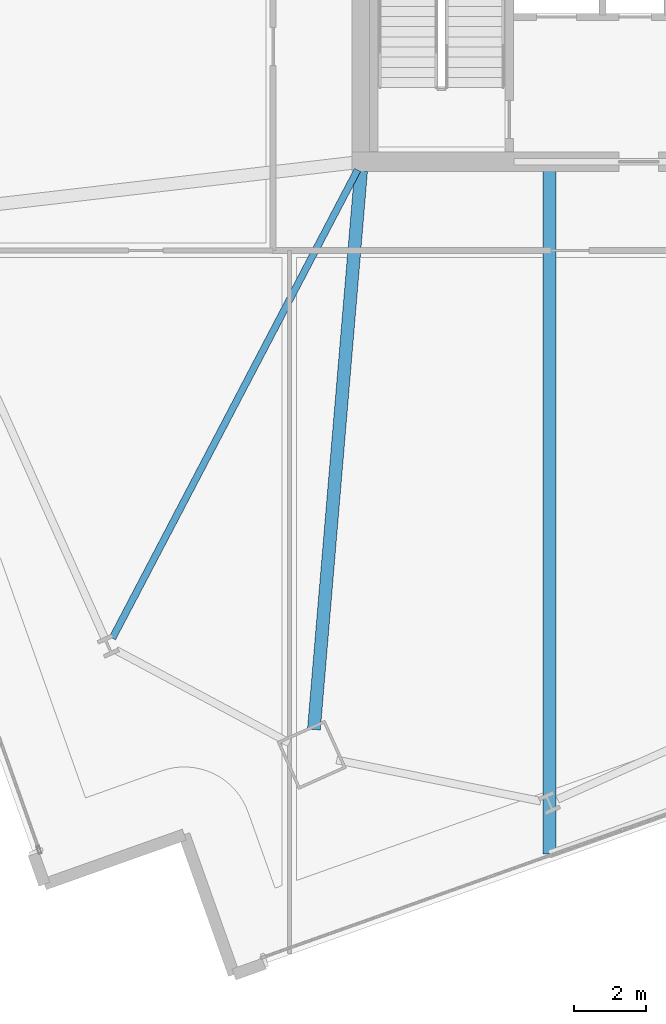
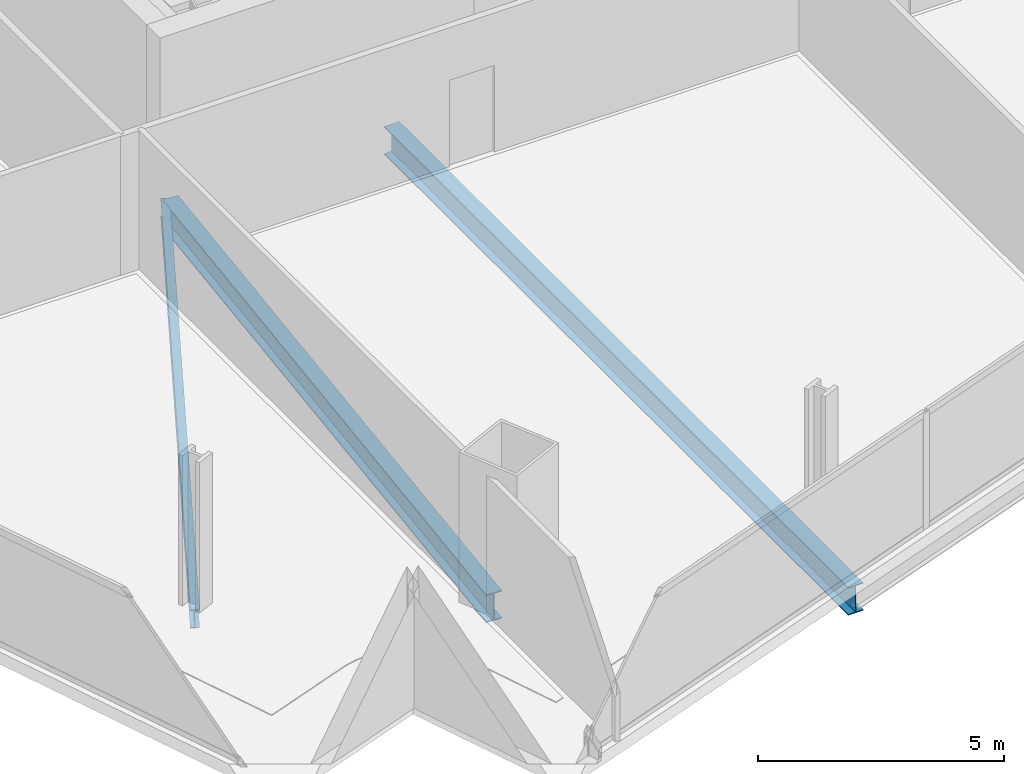
# One storey, part 4 of 33: 3 beams.
"""IFC4 building model written with IfcOpenShell, lengths in metres."""

from ifc_helpers import new_model, si_unit, direction, frame, origin, origin_2d, place, context, subcontext, project, spatial, i_section, extrude, material, material_profile, profile_set, type_object, element, save


model = new_model("IFC4")

# Units and contexts
model_context = context("Model", 3, precision=1e-05, world=origin(), true_north=direction((0.0, 1.0)))
body_context = subcontext(model_context, "Body", "Model", "MODEL_VIEW")
ifc_project = project(units=[si_unit("LENGTHUNIT", "METRE"), si_unit("AREAUNIT", "SQUARE_METRE"), si_unit("VOLUMEUNIT", "CUBIC_METRE"), si_unit("PLANEANGLEUNIT", "RADIAN"), si_unit("MASSUNIT", "GRAM", prefix="KILO")], contexts=[model_context])

# Site, building, storey
site_placement = place(None, origin())
site = spatial("IfcSite", under=ifc_project, at=site_placement, CompositionType="ELEMENT")
building_placement = place(site_placement, origin())
building = spatial("IfcBuilding", under=site, at=building_placement, Name="Haldenkirk Collegiate Tower", CompositionType="ELEMENT")
storey_placement = place(building_placement, frame((0.0, 0.0, 94.199951171875)))
storey = spatial("IfcBuildingStorey", under=building, at=storey_placement, Name="L22", CompositionType="ELEMENT", Elevation=94.199951171875)

# Beams
ifc_material = material(Name="Steel ASTM A992 Grade 50", Category="steel")
ifc_material_profile_1 = material_profile(ifc_material, i_section(OverallWidth=0.35498046875, OverallDepth=0.696044921875, WebThickness=0.015380859375, FlangeThickness=0.02490234375, at=origin_2d()), Name="W27X146")
ifc_profile_set_1 = profile_set([ifc_material_profile_1], Name="Steel ASTM A992 Grade 50")
beam_type_1 = type_object("IfcBeamType", Name="BM-GIRDER-W27X146", PredefinedType="BEAM", material=ifc_profile_set_1)
beam_1_placement = place(storey_placement, frame((25.67578125, 2.3203125, -0.64794921875), z_axis=(0.084153524607, 0.996452800837, 0.0), x_axis=(-0.996452800837, 0.084153524607, 0.0)))
element("IfcBeam", 1, at=beam_1_placement, inside=storey, type_object=beam_type_1, Name="L22 primary floor girder 01", PredefinedType="BEAM", context=body_context, shape_type="SweptSolid", body=[
    extrude(i_section(OverallWidth=0.35498046875, OverallDepth=0.696044921875, WebThickness=0.015380859375, FlangeThickness=0.02490234375, at=origin_2d()), origin(), (0.0, 0.0, 1.0), 15.48046875),
])
beam_2_placement = place(storey_placement, frame((32.181396484375, -1.121337890625, -0.64794921875), z_axis=(0.0, 1.0, 0.0), x_axis=(-1.0, 0.0, 0.0)))
element("IfcBeam", 2, at=beam_2_placement, inside=storey, type_object=beam_type_1, Name="L22 primary floor girder 05", PredefinedType="BEAM", context=body_context, shape_type="SweptSolid", body=[
    extrude(i_section(OverallWidth=0.35498046875, OverallDepth=0.696044921875, WebThickness=0.015380859375, FlangeThickness=0.02490234375, at=origin_2d()), origin(), (0.0, 0.0, 1.0), 18.866455078125),
])
ifc_material_profile_2 = material_profile(ifc_material, i_section(OverallWidth=0.19189453125, OverallDepth=0.462890625, WebThickness=0.010498046875, FlangeThickness=0.017578125, at=origin_2d()), Name="W18X60")
ifc_profile_set_2 = profile_set([ifc_material_profile_2], Name="Steel ASTM A992 Grade 50")
beam_type_2 = type_object("IfcBeamType", Name="BM-JOIST-W18X60", PredefinedType="JOIST", material=ifc_profile_set_2)
beam_3_placement = place(storey_placement, frame((20.10986328125, 4.838623046875, -0.531494140625), z_axis=(0.463790173169, 0.885945074636, 0.0), x_axis=(-0.885945074636, 0.463790173169, 0.0)))
element("IfcBeam", 3, at=beam_3_placement, inside=storey, type_object=beam_type_2, Name="L22 composite floor joist 16", PredefinedType="JOIST", context=body_context, shape_type="SweptSolid", body=[
    extrude(i_section(OverallWidth=0.19189453125, OverallDepth=0.462890625, WebThickness=0.010498046875, FlangeThickness=0.017578125, at=origin_2d()), origin(), (0.0, 0.0, 1.0), 14.600830078125),
])

save(model, "model.ifc")
